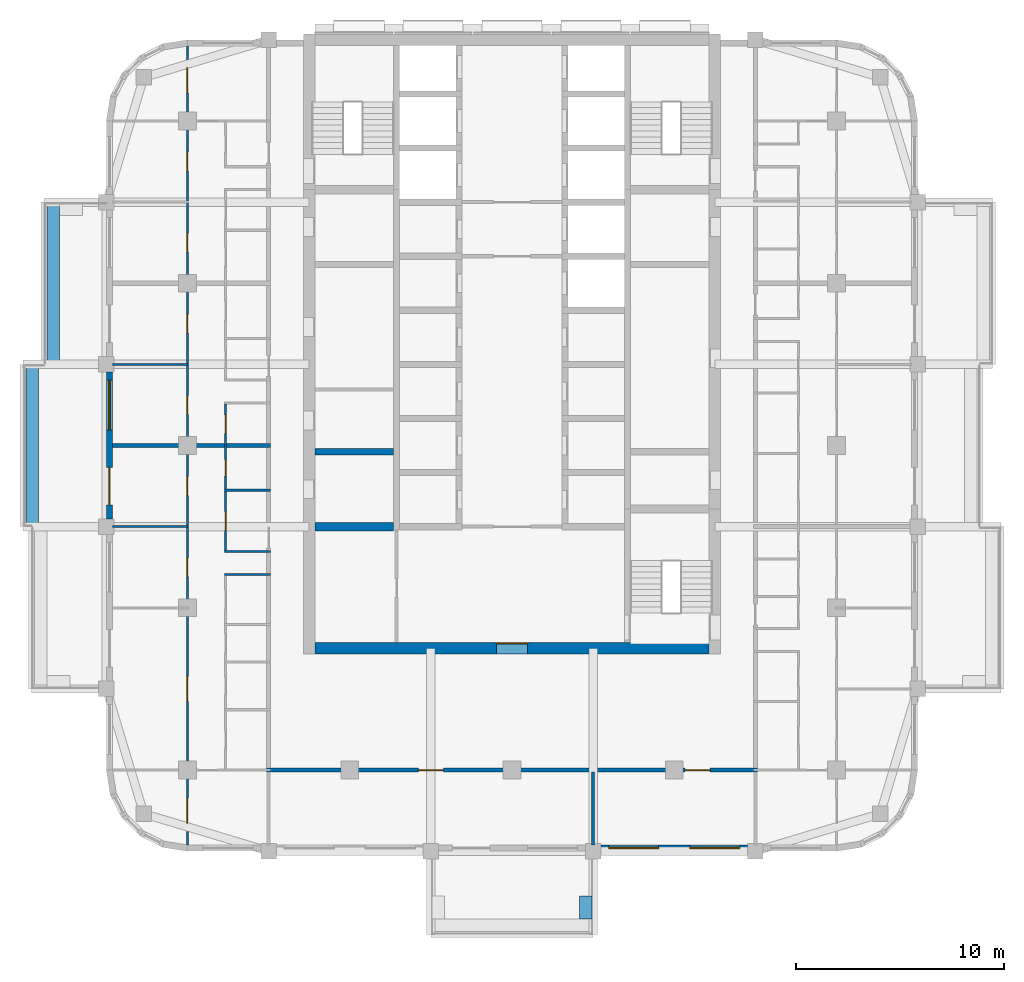
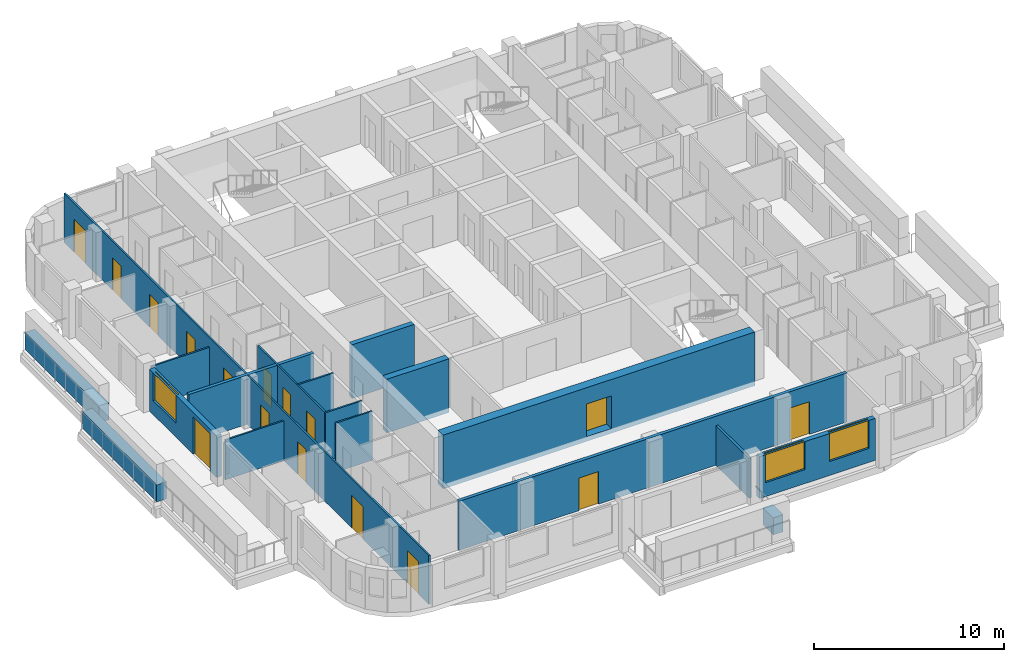
# One storey, part 3 of 13: 18 walls, 16 doors, 3 windows, 19 openings.
"""IFC4 building model written with IfcOpenShell, lengths in metres."""

from ifc_helpers import new_model, si_unit, direction, frame, frame_2d, origin, place, context, subcontext, project, spatial, rectangle, extrude, material, layer, layer_set, type_object, element, fill, save


model = new_model("IFC4")

# Units and contexts
model_context = context("Model", 3, precision=1e-05, world=origin(), true_north=direction((0.0, 1.0)))
body_context = subcontext(model_context, "Body", "Model", "MODEL_VIEW")
ifc_project = project(units=[si_unit("LENGTHUNIT", "METRE"), si_unit("AREAUNIT", "SQUARE_METRE"), si_unit("VOLUMEUNIT", "CUBIC_METRE"), si_unit("PLANEANGLEUNIT", "RADIAN"), si_unit("MASSUNIT", "GRAM", prefix="KILO")], contexts=[model_context])

# Site, building, storey
site_placement = place(None, origin())
site = spatial("IfcSite", under=ifc_project, at=site_placement, CompositionType="ELEMENT")
building_placement = place(site_placement, origin())
building = spatial("IfcBuilding", under=site, at=building_placement, Name="Ludao Terraces", CompositionType="ELEMENT")
storey_placement = place(building_placement, frame((0.0, 0.0, 179.199951171875)))
storey = spatial("IfcBuildingStorey", under=building, at=storey_placement, Name="L48", CompositionType="ELEMENT", Elevation=179.199951171875)

# Wall, opening, door
ifc_material_1 = material(Name="Concrete C60", Category="concrete")
ifc_layer_1 = layer(ifc_material_1, 0.550048828125)
ifc_layer_set_1 = layer_set([ifc_layer_1], Name="Core wall 550 C60")
wall_type_1 = type_object("IfcWallType", Name="Core wall 550 C60", PredefinedType="SOLIDWALL", material=ifc_layer_set_1)
wall_1_placement = place(storey_placement, frame((75.52490234375, 55.25, -0.300048828125), z_axis=(0.0, 0.0, 1.0), x_axis=(1.0, 0.0, 0.0)))
wall_1 = element("IfcWall", 1, at=wall_1_placement, inside=storey, type_object=wall_type_1, Name="Core wall L48 outer-S", PredefinedType="SOLIDWALL", context=body_context, shape_type="SweptSolid", body=[
    extrude(rectangle(XDim=18.9501953125, YDim=0.550048828125, at=frame_2d((9.47509765625, 0.0))), origin(), (0.0, 0.0, 1.0), 3.4501953125),
])
opening_1_placement = place(wall_1_placement, frame((8.72509765625, 0.0, 0.300048828125)))
opening_1 = element("IfcOpeningElement", 2, at=opening_1_placement, cuts=wall_1, Name="Opening R17-013", PredefinedType="OPENING", context=body_context, shape_type="SweptSolid", body=[
    extrude(rectangle(XDim=1.5, YDim=2.10009765625, at=frame_2d((0.75, 1.050048828125))), frame((0.0, 0.28515625, 0.0), z_axis=(0.0, -1.0, 0.0), x_axis=(1.0, 0.0, 0.0)), (0.0, 0.0, 1.0), 0.570068359375),
])
ifc_material_2 = material(Name="Steel Q235", Category="steel")
door_type_1 = type_object("IfcDoorType", Name="INT Lobby door 1500", OperationType="DOUBLE_DOOR_SINGLE_SWING", PredefinedType="DOOR", material=ifc_material_2)
door_1_placement = place(opening_1_placement, origin())
door_1 = element("IfcDoor", 3, at=door_1_placement, inside=storey, type_object=door_type_1, Name="DOOR 013", OperationType="DOUBLE_DOOR_SINGLE_SWING", OverallHeight=2.10009765625, OverallWidth=1.5, PredefinedType="DOOR", context=body_context, shape_type="SweptSolid", body=[
    extrude(rectangle(XDim=1.5, YDim=2.10009765625, at=frame_2d((0.75, 1.050048828125))), frame((0.0, 0.26025390625, 0.0), z_axis=(0.0, -1.0, 0.0), x_axis=(1.0, 0.0, 0.0)), (0.0, 0.0, 1.0), 0.050048828125),
])
fill(opening_1, door_1)

# Walls
ifc_material_3 = material(Name="Concrete C40", Category="concrete")
ifc_layer_2 = layer(ifc_material_3, 0.60009765625)
ifc_layer_set_2 = layer_set([ifc_layer_2], Name="ENV Planter trough 600")
wall_type_2 = type_object("IfcWallType", Name="ENV Planter trough 600", PredefinedType="USERDEFINED", material=ifc_layer_set_2)
wall_2_placement = place(storey_placement, frame((88.550048828125, 42.25, 0.0), z_axis=(0.0, 0.0, 1.0), x_axis=(0.0, 1.0, 0.0)))
element("IfcWall", 4, at=wall_2_placement, inside=storey, type_object=wall_type_2, Name="PL-L48-S1-SB", ObjectType="PLANTER", PredefinedType="USERDEFINED", context=body_context, shape_type="SweptSolid", body=[
    extrude(rectangle(XDim=1.10009765625, YDim=0.60009765625, at=frame_2d((0.550048828125, 0.0))), origin(), (0.0, 0.0, 1.0), 1.10009765625),
])
wall_3_placement = place(storey_placement, frame((61.949951171875, 61.10009765625, 0.0), z_axis=(0.0, 0.0, 1.0), x_axis=(0.0, 1.0, 0.0)))
element("IfcWall", 5, at=wall_3_placement, inside=storey, type_object=wall_type_2, Name="PL-L48-W2", ObjectType="PLANTER", PredefinedType="USERDEFINED", context=body_context, shape_type="SweptSolid", body=[
    extrude(rectangle(XDim=7.7998046875, YDim=0.60009765625, at=frame_2d((3.89990234375, 0.0))), origin(), (0.0, 0.0, 1.0), 1.10009765625),
])
wall_4_placement = place(storey_placement, frame((62.949951171875, 68.89990234375, 0.0), z_axis=(0.0, 0.0, 1.0), x_axis=(0.0, 1.0, 0.0)))
element("IfcWall", 6, at=wall_4_placement, inside=storey, type_object=wall_type_2, Name="PL-L48-W3", ObjectType="PLANTER", PredefinedType="USERDEFINED", context=body_context, shape_type="SweptSolid", body=[
    extrude(rectangle(XDim=7.800048828125, YDim=0.60009765625, at=frame_2d((3.89990234375, 0.0))), origin(), (0.0, 0.0, 1.0), 1.10009765625),
])

# Wall, openings, windows
ifc_material_4 = material(Name="Granite cladding", Category="masonry")
ifc_layer_3 = layer(ifc_material_4, 0.0400390625, Category="stone")
ifc_material_5 = material(Name="Mineral wool")
ifc_layer_4 = layer(ifc_material_5, 0.06005859375)
ifc_layer_5 = layer(ifc_material_3, 0.199951171875, Category="concrete")
ifc_layer_set_3 = layer_set([ifc_layer_3, ifc_layer_4, ifc_layer_5], Name="ENV Stone-clad wall 300")
wall_type_3 = type_object("IfcWallType", Name="ENV Stone-clad wall 300", PredefinedType="SOLIDWALL", material=ifc_layer_set_3)
wall_5_placement = place(storey_placement, frame((89.27490234375, 45.64990234375, 0.0), z_axis=(0.0, 0.0, 1.0), x_axis=(1.0, 0.0, 0.0)))
wall_5 = element("IfcWall", 7, at=wall_5_placement, inside=storey, type_object=wall_type_3, Name="EW-L48-S4", PredefinedType="SOLIDWALL", context=body_context, shape_type="SweptSolid", body=[
    extrude(rectangle(XDim=7.050048828125, YDim=0.300048828125, at=frame_2d((3.52490234375, 0.0))), origin(), (0.0, 0.0, 1.0), 2.699951171875),
])
opening_2_placement = place(wall_5_placement, frame((0.375, 0.0, 0.89990234375)))
opening_2 = element("IfcOpeningElement", 8, at=opening_2_placement, cuts=wall_5, Name="Opening W1", PredefinedType="OPENING", context=body_context, shape_type="SweptSolid", body=[
    extrude(rectangle(XDim=2.39990234375, YDim=1.800048828125, at=frame_2d((1.199951171875, 0.89990234375))), frame((0.0, 0.16015625, 0.0), z_axis=(0.0, -1.0, 0.0), x_axis=(1.0, 0.0, 0.0)), (0.0, 0.0, 1.0), 0.320068359375),
])
opening_3_placement = place(wall_5_placement, frame((4.27490234375, 0.0, 0.89990234375)))
opening_3 = element("IfcOpeningElement", 9, at=opening_3_placement, cuts=wall_5, Name="Opening W1", PredefinedType="OPENING", context=body_context, shape_type="SweptSolid", body=[
    extrude(rectangle(XDim=2.39990234375, YDim=1.800048828125, at=frame_2d((1.199951171875, 0.89990234375))), frame((0.0, 0.16015625, 0.0), z_axis=(0.0, -1.0, 0.0), x_axis=(1.0, 0.0, 0.0)), (0.0, 0.0, 1.0), 0.320068359375),
])
ifc_material_6 = material(Name="Clear glass in aluminium frame", Category="aluminium")
ifc_layer_6 = layer(ifc_material_6, 0.06005859375)
ifc_layer_set_4 = layer_set([ifc_layer_6], Name="ENV Window W1 2400x1800")
window_type = type_object("IfcWindowType", Name="ENV Window W1 2400x1800", PartitioningType="DOUBLE_PANEL_VERTICAL", PredefinedType="WINDOW", material=ifc_layer_set_4)
window_1_placement = place(opening_2_placement, origin())
window_1 = element("IfcWindow", 10, at=window_1_placement, inside=storey, type_object=window_type, Name="W-L48-S4-1", OverallHeight=1.800048828125, OverallWidth=2.39990234375, PartitioningType="DOUBLE_PANEL_VERTICAL", PredefinedType="WINDOW", context=body_context, shape_type="SweptSolid", body=[
    extrude(rectangle(XDim=2.39990234375, YDim=1.800048828125, at=frame_2d((1.199951171875, 0.89990234375))), frame((0.0, 0.030029296875, 0.0), z_axis=(0.0, -1.0, 0.0), x_axis=(1.0, 0.0, 0.0)), (0.0, 0.0, 1.0), 0.06005859375),
])
fill(opening_2, window_1)
window_2_placement = place(opening_3_placement, origin())
window_2 = element("IfcWindow", 11, at=window_2_placement, inside=storey, type_object=window_type, Name="W-L48-S4-2", OverallHeight=1.800048828125, OverallWidth=2.39990234375, PartitioningType="DOUBLE_PANEL_VERTICAL", PredefinedType="WINDOW", context=body_context, shape_type="SweptSolid", body=[
    extrude(rectangle(XDim=2.39990234375, YDim=1.800048828125, at=frame_2d((1.199951171875, 0.89990234375))), frame((0.0, 0.030029296875, 0.0), z_axis=(0.0, -1.0, 0.0), x_axis=(1.0, 0.0, 0.0)), (0.0, 0.0, 1.0), 0.06005859375),
])
fill(opening_3, window_2)

# Wall, openings, door, window
wall_6_placement = place(storey_placement, frame((65.64990234375, 61.47509765625, 0.0), z_axis=(0.0, 0.0, 1.0), x_axis=(0.0, 1.0, 0.0)))
wall_6 = element("IfcWall", 12, at=wall_6_placement, inside=storey, type_object=wall_type_3, Name="EW-L48-W3", PredefinedType="SOLIDWALL", context=body_context, shape_type="SweptSolid", body=[
    extrude(rectangle(XDim=7.0498046875, YDim=0.300048828125, at=frame_2d((3.52490234375, 0.0))), origin(), (0.0, 0.0, 1.0), 2.699951171875),
])
opening_4_placement = place(wall_6_placement, frame((0.675048828125, 0.0, 0.0)))
opening_4 = element("IfcOpeningElement", 13, at=opening_4_placement, cuts=wall_6, Name="Opening BD", PredefinedType="OPENING", context=body_context, shape_type="SweptSolid", body=[
    extrude(rectangle(XDim=1.800048828125, YDim=2.39990234375, at=frame_2d((0.89990234375, 1.199951171875))), frame((0.0, 0.16015625, 0.0), z_axis=(0.0, -1.0, 0.0), x_axis=(1.0, 0.0, 0.0)), (0.0, 0.0, 1.0), 0.320068359375),
])
opening_5_placement = place(wall_6_placement, frame((4.27490234375, 0.0, 0.89990234375)))
opening_5 = element("IfcOpeningElement", 14, at=opening_5_placement, cuts=wall_6, Name="Opening W1", PredefinedType="OPENING", context=body_context, shape_type="SweptSolid", body=[
    extrude(rectangle(XDim=2.39990234375, YDim=1.800048828125, at=frame_2d((1.199951171875, 0.89990234375))), frame((0.0, 0.16015625, 0.0), z_axis=(0.0, -1.0, 0.0), x_axis=(1.0, 0.0, 0.0)), (0.0, 0.0, 1.0), 0.320068359375),
])
ifc_material_7 = material(Name="Aluminium glazed door", Category="aluminium")
ifc_layer_7 = layer(ifc_material_7, 0.06005859375)
ifc_layer_set_5 = layer_set([ifc_layer_7], Name="ENV Balcony door BD 1800x2400")
door_type_2 = type_object("IfcDoorType", Name="ENV Balcony door BD 1800x2400", OperationType="DOUBLE_DOOR_SINGLE_SWING", PredefinedType="DOOR", material=ifc_layer_set_5)
door_2_placement = place(opening_4_placement, origin())
door_2 = element("IfcDoor", 15, at=door_2_placement, inside=storey, type_object=door_type_2, Name="BD-L48-W3-1", OperationType="DOUBLE_DOOR_SINGLE_SWING", OverallHeight=2.39990234375, OverallWidth=1.800048828125, PredefinedType="DOOR", context=body_context, shape_type="SweptSolid", body=[
    extrude(rectangle(XDim=1.800048828125, YDim=2.39990234375, at=frame_2d((0.89990234375, 1.199951171875))), frame((0.0, 0.02490234375, 0.0), z_axis=(0.0, -1.0, 0.0), x_axis=(1.0, 0.0, 0.0)), (0.0, 0.0, 1.0), 0.050048828125),
])
fill(opening_4, door_2)
window_3_placement = place(opening_5_placement, origin())
window_3 = element("IfcWindow", 16, at=window_3_placement, inside=storey, type_object=window_type, Name="W-L48-W3-2", OverallHeight=1.800048828125, OverallWidth=2.39990234375, PartitioningType="DOUBLE_PANEL_VERTICAL", PredefinedType="WINDOW", context=body_context, shape_type="SweptSolid", body=[
    extrude(rectangle(XDim=2.39990234375, YDim=1.800048828125, at=frame_2d((1.199951171875, 0.89990234375))), frame((0.0, 0.030029296875, 0.0), z_axis=(0.0, -1.0, 0.0), x_axis=(1.0, 0.0, 0.0)), (0.0, 0.0, 1.0), 0.06005859375),
])
fill(opening_5, window_3)

# Wall, openings, doors
ifc_material_8 = material(Name="Autoclaved aerated concrete block B06 A3.5", Category="concrete")
ifc_layer_8 = layer(ifc_material_8, 0.199951171875)
ifc_layer_set_6 = layer_set([ifc_layer_8], Name="INT Entrance wall 200")
wall_type_4 = type_object("IfcWallType", Name="INT Entrance wall 200", PredefinedType="PARTITIONING", material=ifc_layer_set_6)
wall_7_placement = place(storey_placement, frame((73.2001953125, 49.39990234375, 0.0), z_axis=(0.0, 0.0, 1.0), x_axis=(1.0, 0.0, 0.0)))
wall_7 = element("IfcWall", 17, at=wall_7_placement, inside=storey, type_object=wall_type_4, Name="PW-L48-PW001", PredefinedType="PARTITIONING", context=body_context, shape_type="SweptSolid", body=[
    extrude(rectangle(XDim=23.599853515625, YDim=0.199951171875, at=frame_2d((11.7998046875, 0.0))), origin(), (0.0, 0.0, 1.0), 3.150146484375),
])
opening_6_placement = place(wall_7_placement, frame((7.2998046875, 0.0, 0.0)))
opening_6 = element("IfcOpeningElement", 18, at=opening_6_placement, cuts=wall_7, Name="Opening R17-004", PredefinedType="OPENING", context=body_context, shape_type="SweptSolid", body=[
    extrude(rectangle(XDim=1.199951171875, YDim=2.10009765625, at=frame_2d((0.60009765625, 1.050048828125))), frame((0.0, 0.10986328125, 0.0), z_axis=(0.0, -1.0, 0.0), x_axis=(1.0, 0.0, 0.0)), (0.0, 0.0, 1.0), 0.219970703125),
])
opening_7_placement = place(wall_7_placement, frame((20.125, 0.0, 0.0)))
opening_7 = element("IfcOpeningElement", 19, at=opening_7_placement, cuts=wall_7, Name="Opening R17-005", PredefinedType="OPENING", context=body_context, shape_type="SweptSolid", body=[
    extrude(rectangle(XDim=1.199951171875, YDim=2.10009765625, at=frame_2d((0.60009765625, 1.050048828125))), frame((0.0, 0.10986328125, 0.0), z_axis=(0.0, -1.0, 0.0), x_axis=(1.0, 0.0, 0.0)), (0.0, 0.0, 1.0), 0.219970703125),
])
ifc_material_9 = material(Name="Timber door leaf", Category="wood")
door_type_3 = type_object("IfcDoorType", Name="INT Double door 1200", OperationType="DOUBLE_DOOR_SINGLE_SWING", PredefinedType="DOOR", material=ifc_material_9)
door_3_placement = place(opening_6_placement, origin())
door_3 = element("IfcDoor", 20, at=door_3_placement, inside=storey, type_object=door_type_3, Name="DOOR 004", OperationType="DOUBLE_DOOR_SINGLE_SWING", OverallHeight=2.10009765625, OverallWidth=1.199951171875, PredefinedType="DOOR", context=body_context, shape_type="SweptSolid", body=[
    extrude(rectangle(XDim=1.199951171875, YDim=2.10009765625, at=frame_2d((0.60009765625, 1.050048828125))), frame((0.0, 0.02490234375, 0.0), z_axis=(0.0, -1.0, 0.0), x_axis=(1.0, 0.0, 0.0)), (0.0, 0.0, 1.0), 0.050048828125),
])
fill(opening_6, door_3)
door_4_placement = place(opening_7_placement, origin())
door_4 = element("IfcDoor", 21, at=door_4_placement, inside=storey, type_object=door_type_3, Name="DOOR 005", OperationType="DOUBLE_DOOR_SINGLE_SWING", OverallHeight=2.10009765625, OverallWidth=1.199951171875, PredefinedType="DOOR", context=body_context, shape_type="SweptSolid", body=[
    extrude(rectangle(XDim=1.199951171875, YDim=2.10009765625, at=frame_2d((0.60009765625, 1.050048828125))), frame((0.0, 0.02490234375, 0.0), z_axis=(0.0, -1.0, 0.0), x_axis=(1.0, 0.0, 0.0)), (0.0, 0.0, 1.0), 0.050048828125),
])
fill(opening_7, door_4)

# Walls
ifc_material_10 = material(Name="Gypsum plasterboard", Category="gypsum")
ifc_layer_9 = layer(ifc_material_10, 0.012451171875, Category="gypsum")
ifc_layer_10 = layer(ifc_material_5, 0.06005859375, Name="insulation")
ifc_layer_11 = layer(ifc_material_2, 0.014892578125, Name="stud")
ifc_layer_12 = layer(ifc_material_10, 0.012451171875, Category="gypsum")
ifc_layer_set_7 = layer_set([ifc_layer_9, ifc_layer_10, ifc_layer_11, ifc_layer_12], Name="INT Partition 100")
wall_type_5 = type_object("IfcWallType", Name="INT Partition 100", PredefinedType="PARTITIONING", material=ifc_layer_set_7)
for number, where, z_axis, x_axis, name in (
    (22, (71.18017578125, 58.800048828125, 0.0), (0.0, 0.0, 1.0), (1.0, 0.0, 0.0), "PW-L48-PW013"),
    (23, (71.18017578125, 59.89990234375, 0.0), (0.0, 0.0, 1.0), (1.0, 0.0, 0.0), "PW-L48-PW015"),
):
    element("IfcWall", number, at=place(storey_placement, frame(where, z_axis=z_axis, x_axis=x_axis)), inside=storey, type_object=wall_type_5, Name=name, PredefinedType="PARTITIONING", context=body_context, shape_type="SweptSolid", body=[
        extrude(rectangle(XDim=2.219970703125, YDim=0.10009765625, at=frame_2d((1.10986328125, 0.0))), origin(), (0.0, 0.0, 1.0), 3.150146484375),
    ])
wall_8_placement = place(storey_placement, frame((65.800048828125, 61.10009765625, 0.0), z_axis=(0.0, 0.0, 1.0), x_axis=(1.0, 0.0, 0.0)))
element("IfcWall", 24, at=wall_8_placement, inside=storey, type_object=wall_type_5, Name="PW-L48-PW016", PredefinedType="PARTITIONING", context=body_context, shape_type="SweptSolid", body=[
    extrude(rectangle(XDim=3.650146484375, YDim=0.10009765625, at=frame_2d((1.8251953125, 0.0))), origin(), (0.0, 0.0, 1.0), 2.550048828125),
])
wall_9_placement = place(storey_placement, frame((71.18017578125, 62.85009765625, 0.0), z_axis=(0.0, 0.0, 1.0), x_axis=(1.0, 0.0, 0.0)))
element("IfcWall", 25, at=wall_9_placement, inside=storey, type_object=wall_type_5, Name="PW-L48-PW019", PredefinedType="PARTITIONING", context=body_context, shape_type="SweptSolid", body=[
    extrude(rectangle(XDim=2.219970703125, YDim=0.10009765625, at=frame_2d((1.10986328125, 0.0))), origin(), (0.0, 0.0, 1.0), 3.150146484375),
])
wall_10_placement = place(storey_placement, frame((65.800048828125, 68.89990234375, 0.0), z_axis=(0.0, 0.0, 1.0), x_axis=(1.0, 0.0, 0.0)))
element("IfcWall", 26, at=wall_10_placement, inside=storey, type_object=wall_type_5, Name="PW-L48-PW026", PredefinedType="PARTITIONING", context=body_context, shape_type="SweptSolid", body=[
    extrude(rectangle(XDim=3.650146484375, YDim=0.10009765625, at=frame_2d((1.8251953125, 0.0))), origin(), (0.0, 0.0, 1.0), 2.550048828125),
])

# Wall, openings, doors
wall_11_placement = place(storey_placement, frame((69.39990234375, 45.800048828125, 0.0), z_axis=(0.0, 0.0, 1.0), x_axis=(0.0, 1.0, 0.0)))
wall_11 = element("IfcWall", 27, at=wall_11_placement, inside=storey, type_object=wall_type_5, Name="PW-L48-PW046", PredefinedType="PARTITIONING", context=body_context, shape_type="SweptSolid", body=[
    extrude(rectangle(XDim=38.400146484375, YDim=0.10009765625, at=frame_2d((19.2001953125, 0.0))), origin(), (0.0, 0.0, 1.0), 3.150146484375),
])
opening_8_placement = place(wall_11_placement, frame((1.050048828125, 0.0, 0.0)))
opening_8 = element("IfcOpeningElement", 28, at=opening_8_placement, cuts=wall_11, Name="Opening R17-001", PredefinedType="OPENING", context=body_context, shape_type="SweptSolid", body=[
    extrude(rectangle(XDim=1.199951171875, YDim=2.10009765625, at=frame_2d((0.60009765625, 1.050048828125))), frame((0.0, 0.06005859375, 0.0), z_axis=(0.0, -1.0, 0.0), x_axis=(1.0, 0.0, 0.0)), (0.0, 0.0, 1.0), 0.1201171875),
])
opening_9_placement = place(wall_11_placement, frame((6.89990234375, 0.0, 0.0)))
opening_9 = element("IfcOpeningElement", 29, at=opening_9_placement, cuts=wall_11, Name="Opening R17-010", PredefinedType="OPENING", context=body_context, shape_type="SweptSolid", body=[
    extrude(rectangle(XDim=1.199951171875, YDim=2.10009765625, at=frame_2d((0.60009765625, 1.050048828125))), frame((0.0, 0.06005859375, 0.0), z_axis=(0.0, -1.0, 0.0), x_axis=(1.0, 0.0, 0.0)), (0.0, 0.0, 1.0), 0.1201171875),
])
opening_10_placement = place(wall_11_placement, frame((12.89990234375, 0.0, 0.0)))
opening_10 = element("IfcOpeningElement", 30, at=opening_10_placement, cuts=wall_11, Name="Opening R17-023", PredefinedType="OPENING", context=body_context, shape_type="SweptSolid", body=[
    extrude(rectangle(XDim=0.89990234375, YDim=2.10009765625, at=frame_2d((0.449951171875, 1.050048828125))), frame((0.0, 0.06005859375, 0.0), z_axis=(0.0, -1.0, 0.0), x_axis=(1.0, 0.0, 0.0)), (0.0, 0.0, 1.0), 0.1201171875),
])
opening_11_placement = place(wall_11_placement, frame((16.800048828125, 0.0, 0.0)))
opening_11 = element("IfcOpeningElement", 31, at=opening_11_placement, cuts=wall_11, Name="Opening R17-033", PredefinedType="OPENING", context=body_context, shape_type="SweptSolid", body=[
    extrude(rectangle(XDim=0.89990234375, YDim=2.10009765625, at=frame_2d((0.449951171875, 1.050048828125))), frame((0.0, 0.06005859375, 0.0), z_axis=(0.0, -1.0, 0.0), x_axis=(1.0, 0.0, 0.0)), (0.0, 0.0, 1.0), 0.1201171875),
])
opening_12_placement = place(wall_11_placement, frame((20.699951171875, 0.0, 0.0)))
opening_12 = element("IfcOpeningElement", 32, at=opening_12_placement, cuts=wall_11, Name="Opening R17-042", PredefinedType="OPENING", context=body_context, shape_type="SweptSolid", body=[
    extrude(rectangle(XDim=0.89990234375, YDim=2.10009765625, at=frame_2d((0.449951171875, 1.050048828125))), frame((0.0, 0.06005859375, 0.0), z_axis=(0.0, -1.0, 0.0), x_axis=(1.0, 0.0, 0.0)), (0.0, 0.0, 1.0), 0.1201171875),
])
opening_13_placement = place(wall_11_placement, frame((24.60009765625, 0.0, 0.0)))
opening_13 = element("IfcOpeningElement", 33, at=opening_13_placement, cuts=wall_11, Name="Opening R17-052", PredefinedType="OPENING", context=body_context, shape_type="SweptSolid", body=[
    extrude(rectangle(XDim=0.89990234375, YDim=2.10009765625, at=frame_2d((0.449951171875, 1.050048828125))), frame((0.0, 0.06005859375, 0.0), z_axis=(0.0, -1.0, 0.0), x_axis=(1.0, 0.0, 0.0)), (0.0, 0.0, 1.0), 0.1201171875),
])
opening_14_placement = place(wall_11_placement, frame((28.5, 0.0, 0.0)))
opening_14 = element("IfcOpeningElement", 34, at=opening_14_placement, cuts=wall_11, Name="Opening R17-062", PredefinedType="OPENING", context=body_context, shape_type="SweptSolid", body=[
    extrude(rectangle(XDim=0.89990234375, YDim=2.10009765625, at=frame_2d((0.449951171875, 1.050048828125))), frame((0.0, 0.06005859375, 0.0), z_axis=(0.0, -1.0, 0.0), x_axis=(1.0, 0.0, 0.0)), (0.0, 0.0, 1.0), 0.1201171875),
])
opening_15_placement = place(wall_11_placement, frame((32.39990234375, 0.0, 0.0)))
opening_15 = element("IfcOpeningElement", 35, at=opening_15_placement, cuts=wall_11, Name="Opening R17-077", PredefinedType="OPENING", context=body_context, shape_type="SweptSolid", body=[
    extrude(rectangle(XDim=0.89990234375, YDim=2.10009765625, at=frame_2d((0.449951171875, 1.050048828125))), frame((0.0, 0.06005859375, 0.0), z_axis=(0.0, -1.0, 0.0), x_axis=(1.0, 0.0, 0.0)), (0.0, 0.0, 1.0), 0.1201171875),
])
opening_16_placement = place(wall_11_placement, frame((36.14990234375, 0.0, 0.0)))
opening_16 = element("IfcOpeningElement", 36, at=opening_16_placement, cuts=wall_11, Name="Opening R17-086", PredefinedType="OPENING", context=body_context, shape_type="SweptSolid", body=[
    extrude(rectangle(XDim=1.199951171875, YDim=2.10009765625, at=frame_2d((0.60009765625, 1.050048828125))), frame((0.0, 0.06005859375, 0.0), z_axis=(0.0, -1.0, 0.0), x_axis=(1.0, 0.0, 0.0)), (0.0, 0.0, 1.0), 0.1201171875),
])
door_5_placement = place(opening_8_placement, origin())
door_5 = element("IfcDoor", 37, at=door_5_placement, inside=storey, type_object=door_type_3, Name="DOOR 001", OperationType="DOUBLE_DOOR_SINGLE_SWING", OverallHeight=2.10009765625, OverallWidth=1.199951171875, PredefinedType="DOOR", context=body_context, shape_type="SweptSolid", body=[
    extrude(rectangle(XDim=1.199951171875, YDim=2.10009765625, at=frame_2d((0.60009765625, 1.050048828125))), frame((0.0, 0.02490234375, 0.0), z_axis=(0.0, -1.0, 0.0), x_axis=(1.0, 0.0, 0.0)), (0.0, 0.0, 1.0), 0.050048828125),
])
fill(opening_8, door_5)
door_6_placement = place(opening_9_placement, origin())
door_6 = element("IfcDoor", 38, at=door_6_placement, inside=storey, type_object=door_type_3, Name="DOOR 010", OperationType="DOUBLE_DOOR_SINGLE_SWING", OverallHeight=2.10009765625, OverallWidth=1.199951171875, PredefinedType="DOOR", context=body_context, shape_type="SweptSolid", body=[
    extrude(rectangle(XDim=1.199951171875, YDim=2.10009765625, at=frame_2d((0.60009765625, 1.050048828125))), frame((0.0, 0.02490234375, 0.0), z_axis=(0.0, -1.0, 0.0), x_axis=(1.0, 0.0, 0.0)), (0.0, 0.0, 1.0), 0.050048828125),
])
fill(opening_9, door_6)
door_7_placement = place(opening_16_placement, origin())
door_7 = element("IfcDoor", 39, at=door_7_placement, inside=storey, type_object=door_type_3, Name="DOOR 086", OperationType="DOUBLE_DOOR_SINGLE_SWING", OverallHeight=2.10009765625, OverallWidth=1.199951171875, PredefinedType="DOOR", context=body_context, shape_type="SweptSolid", body=[
    extrude(rectangle(XDim=1.199951171875, YDim=2.10009765625, at=frame_2d((0.60009765625, 1.050048828125))), frame((0.0, 0.02490234375, 0.0), z_axis=(0.0, -1.0, 0.0), x_axis=(1.0, 0.0, 0.0)), (0.0, 0.0, 1.0), 0.050048828125),
])
fill(opening_16, door_7)
door_type_4 = type_object("IfcDoorType", Name="INT Room door 900", OperationType="SINGLE_SWING_LEFT", PredefinedType="DOOR", material=ifc_material_9)
door_8_placement = place(opening_10_placement, origin())
door_8 = element("IfcDoor", 40, at=door_8_placement, inside=storey, type_object=door_type_4, Name="DOOR 023", OperationType="SINGLE_SWING_RIGHT", OverallHeight=2.10009765625, OverallWidth=0.89990234375, PredefinedType="DOOR", context=body_context, shape_type="SweptSolid", body=[
    extrude(rectangle(XDim=0.89990234375, YDim=2.10009765625, at=frame_2d((0.449951171875, 1.050048828125))), frame((0.0, 0.02490234375, 0.0), z_axis=(0.0, -1.0, 0.0), x_axis=(1.0, 0.0, 0.0)), (0.0, 0.0, 1.0), 0.050048828125),
])
fill(opening_10, door_8)
door_9_placement = place(opening_11_placement, origin())
door_9 = element("IfcDoor", 41, at=door_9_placement, inside=storey, type_object=door_type_4, Name="DOOR 033", OperationType="SINGLE_SWING_LEFT", OverallHeight=2.10009765625, OverallWidth=0.89990234375, PredefinedType="DOOR", context=body_context, shape_type="SweptSolid", body=[
    extrude(rectangle(XDim=0.89990234375, YDim=2.10009765625, at=frame_2d((0.449951171875, 1.050048828125))), frame((0.0, 0.02490234375, 0.0), z_axis=(0.0, -1.0, 0.0), x_axis=(1.0, 0.0, 0.0)), (0.0, 0.0, 1.0), 0.050048828125),
])
fill(opening_11, door_9)
door_10_placement = place(opening_12_placement, origin())
door_10 = element("IfcDoor", 42, at=door_10_placement, inside=storey, type_object=door_type_4, Name="DOOR 042", OperationType="SINGLE_SWING_RIGHT", OverallHeight=2.10009765625, OverallWidth=0.89990234375, PredefinedType="DOOR", context=body_context, shape_type="SweptSolid", body=[
    extrude(rectangle(XDim=0.89990234375, YDim=2.10009765625, at=frame_2d((0.449951171875, 1.050048828125))), frame((0.0, 0.02490234375, 0.0), z_axis=(0.0, -1.0, 0.0), x_axis=(1.0, 0.0, 0.0)), (0.0, 0.0, 1.0), 0.050048828125),
])
fill(opening_12, door_10)
door_11_placement = place(opening_13_placement, origin())
door_11 = element("IfcDoor", 43, at=door_11_placement, inside=storey, type_object=door_type_4, Name="DOOR 052", OperationType="SINGLE_SWING_RIGHT", OverallHeight=2.10009765625, OverallWidth=0.89990234375, PredefinedType="DOOR", context=body_context, shape_type="SweptSolid", body=[
    extrude(rectangle(XDim=0.89990234375, YDim=2.10009765625, at=frame_2d((0.449951171875, 1.050048828125))), frame((0.0, 0.02490234375, 0.0), z_axis=(0.0, -1.0, 0.0), x_axis=(1.0, 0.0, 0.0)), (0.0, 0.0, 1.0), 0.050048828125),
])
fill(opening_13, door_11)
door_12_placement = place(opening_14_placement, origin())
door_12 = element("IfcDoor", 44, at=door_12_placement, inside=storey, type_object=door_type_4, Name="DOOR 062", OperationType="SINGLE_SWING_LEFT", OverallHeight=2.10009765625, OverallWidth=0.89990234375, PredefinedType="DOOR", context=body_context, shape_type="SweptSolid", body=[
    extrude(rectangle(XDim=0.89990234375, YDim=2.10009765625, at=frame_2d((0.449951171875, 1.050048828125))), frame((0.0, 0.02490234375, 0.0), z_axis=(0.0, -1.0, 0.0), x_axis=(1.0, 0.0, 0.0)), (0.0, 0.0, 1.0), 0.050048828125),
])
fill(opening_14, door_12)
door_13_placement = place(opening_15_placement, origin())
door_13 = element("IfcDoor", 45, at=door_13_placement, inside=storey, type_object=door_type_4, Name="DOOR 077", OperationType="SINGLE_SWING_LEFT", OverallHeight=2.10009765625, OverallWidth=0.89990234375, PredefinedType="DOOR", context=body_context, shape_type="SweptSolid", body=[
    extrude(rectangle(XDim=0.89990234375, YDim=2.10009765625, at=frame_2d((0.449951171875, 1.050048828125))), frame((0.0, 0.02490234375, 0.0), z_axis=(0.0, -1.0, 0.0), x_axis=(1.0, 0.0, 0.0)), (0.0, 0.0, 1.0), 0.050048828125),
])
fill(opening_15, door_13)

wall_12_placement = place(storey_placement, frame((71.22998046875, 59.9501953125, 0.0), z_axis=(0.0, 0.0, 1.0), x_axis=(0.0, 1.0, 0.0)))
wall_12 = element("IfcWall", 46, at=wall_12_placement, inside=storey, type_object=wall_type_5, Name="PW-L48-PW048", PredefinedType="PARTITIONING", context=body_context, shape_type="SweptSolid", body=[
    extrude(rectangle(XDim=7.0498046875, YDim=0.10009765625, at=frame_2d((3.52490234375, 0.0))), origin(), (0.0, 0.0, 1.0), 3.150146484375),
])
opening_17_placement = place(wall_12_placement, frame((0.974853515625, 0.0, 0.0)))
opening_17 = element("IfcOpeningElement", 47, at=opening_17_placement, cuts=wall_12, Name="Opening R17-028", PredefinedType="OPENING", context=body_context, shape_type="SweptSolid", body=[
    extrude(rectangle(XDim=0.89990234375, YDim=2.10009765625, at=frame_2d((0.449951171875, 1.050048828125))), frame((0.0, 0.06005859375, 0.0), z_axis=(0.0, -1.0, 0.0), x_axis=(1.0, 0.0, 0.0)), (0.0, 0.0, 1.0), 0.1201171875),
])
opening_18_placement = place(wall_12_placement, frame((3.574951171875, 0.0, 0.0)))
opening_18 = element("IfcOpeningElement", 48, at=opening_18_placement, cuts=wall_12, Name="Opening R17-035", PredefinedType="OPENING", context=body_context, shape_type="SweptSolid", body=[
    extrude(rectangle(XDim=0.800048828125, YDim=2.10009765625, at=frame_2d((0.39990234375, 1.050048828125))), frame((0.0, 0.06005859375, 0.0), z_axis=(0.0, -1.0, 0.0), x_axis=(1.0, 0.0, 0.0)), (0.0, 0.0, 1.0), 0.1201171875),
])
opening_19_placement = place(wall_12_placement, frame((5.625, 0.0, 0.0)))
opening_19 = element("IfcOpeningElement", 49, at=opening_19_placement, cuts=wall_12, Name="Opening R17-038", PredefinedType="OPENING", context=body_context, shape_type="SweptSolid", body=[
    extrude(rectangle(XDim=0.89990234375, YDim=2.10009765625, at=frame_2d((0.449951171875, 1.050048828125))), frame((0.0, 0.06005859375, 0.0), z_axis=(0.0, -1.0, 0.0), x_axis=(1.0, 0.0, 0.0)), (0.0, 0.0, 1.0), 0.1201171875),
])
door_type_5 = type_object("IfcDoorType", Name="INT Bathroom door 900", OperationType="SINGLE_SWING_LEFT", PredefinedType="DOOR", material=ifc_material_9)
door_14_placement = place(opening_19_placement, origin())
door_14 = element("IfcDoor", 50, at=door_14_placement, inside=storey, type_object=door_type_5, Name="DOOR 038", OperationType="SINGLE_SWING_RIGHT", OverallHeight=2.10009765625, OverallWidth=0.89990234375, PredefinedType="DOOR", context=body_context, shape_type="SweptSolid", body=[
    extrude(rectangle(XDim=0.89990234375, YDim=2.10009765625, at=frame_2d((0.449951171875, 1.050048828125))), frame((0.0, 0.02490234375, 0.0), z_axis=(0.0, -1.0, 0.0), x_axis=(1.0, 0.0, 0.0)), (0.0, 0.0, 1.0), 0.050048828125),
])
fill(opening_19, door_14)
door_15_placement = place(opening_17_placement, origin())
door_15 = element("IfcDoor", 51, at=door_15_placement, inside=storey, type_object=door_type_4, Name="DOOR 028", OperationType="SINGLE_SWING_RIGHT", OverallHeight=2.10009765625, OverallWidth=0.89990234375, PredefinedType="DOOR", context=body_context, shape_type="SweptSolid", body=[
    extrude(rectangle(XDim=0.89990234375, YDim=2.10009765625, at=frame_2d((0.449951171875, 1.050048828125))), frame((0.0, 0.02490234375, 0.0), z_axis=(0.0, -1.0, 0.0), x_axis=(1.0, 0.0, 0.0)), (0.0, 0.0, 1.0), 0.050048828125),
])
fill(opening_17, door_15)
door_type_6 = type_object("IfcDoorType", Name="INT Store door 800", OperationType="SINGLE_SWING_LEFT", PredefinedType="DOOR", material=ifc_material_9)
door_16_placement = place(opening_18_placement, origin())
door_16 = element("IfcDoor", 52, at=door_16_placement, inside=storey, type_object=door_type_6, Name="DOOR 035", OperationType="SINGLE_SWING_LEFT", OverallHeight=2.10009765625, OverallWidth=0.800048828125, PredefinedType="DOOR", context=body_context, shape_type="SweptSolid", body=[
    extrude(rectangle(XDim=0.800048828125, YDim=2.10009765625, at=frame_2d((0.39990234375, 1.050048828125))), frame((0.0, 0.02490234375, 0.0), z_axis=(0.0, -1.0, 0.0), x_axis=(1.0, 0.0, 0.0)), (0.0, 0.0, 1.0), 0.050048828125),
])
fill(opening_18, door_16)

# Walls
ifc_layer_13 = layer(ifc_material_8, 0.14990234375)
ifc_layer_set_8 = layer_set([ifc_layer_13], Name="INT Party wall 150")
wall_type_6 = type_object("IfcWallType", Name="INT Party wall 150", PredefinedType="PARTITIONING", material=ifc_layer_set_8)
wall_13_placement = place(storey_placement, frame((88.89990234375, 45.800048828125, 0.0), z_axis=(0.0, 0.0, 1.0), x_axis=(0.0, 1.0, 0.0)))
element("IfcWall", 53, at=wall_13_placement, inside=storey, type_object=wall_type_6, Name="PW-L48-PW054", PredefinedType="PARTITIONING", context=body_context, shape_type="SweptSolid", body=[
    extrude(rectangle(XDim=3.5, YDim=0.14990234375, at=frame_2d((1.75, 0.0))), origin(), (0.0, 0.0, 1.0), 2.550048828125),
])
ifc_layer_14 = layer(ifc_material_8, 0.199951171875)
ifc_layer_set_9 = layer_set([ifc_layer_14], Name="INT Party wall 200")
wall_type_7 = type_object("IfcWallType", Name="INT Party wall 200", PredefinedType="PARTITIONING", material=ifc_layer_set_9)
wall_14_placement = place(storey_placement, frame((65.800048828125, 65.0, 0.0), z_axis=(0.0, 0.0, 1.0), x_axis=(1.0, 0.0, 0.0)))
element("IfcWall", 54, at=wall_14_placement, inside=storey, type_object=wall_type_7, Name="PW-L48-PW021", PredefinedType="PARTITIONING", context=body_context, shape_type="SweptSolid", body=[
    extrude(rectangle(XDim=7.60009765625, YDim=0.199951171875, at=frame_2d((3.800048828125, 0.0))), origin(), (0.0, 0.0, 1.0), 3.150146484375),
])
ifc_material_11 = material(Name="Concrete C55", Category="concrete")
ifc_layer_15 = layer(ifc_material_11, 0.300048828125)
ifc_layer_set_10 = layer_set([ifc_layer_15], Name="Shaft wall 300 C55")
wall_type_8 = type_object("IfcWallType", Name="Shaft wall 300 C55", PredefinedType="SOLIDWALL", material=ifc_layer_set_10)
wall_15_placement = place(storey_placement, frame((75.52490234375, 64.699951171875, -0.300048828125), z_axis=(0.0, 0.0, 1.0), x_axis=(1.0, 0.0, 0.0)))
element("IfcWall", 55, at=wall_15_placement, inside=storey, type_object=wall_type_8, Name="Core wall L48 riser-a-W", PredefinedType="SOLIDWALL", context=body_context, shape_type="SweptSolid", body=[
    extrude(rectangle(XDim=3.775146484375, YDim=0.300048828125, at=frame_2d((1.8876953125, 0.0))), origin(), (0.0, 0.0, 1.0), 3.4501953125),
])
ifc_layer_16 = layer(ifc_material_11, 0.39990234375)
ifc_layer_set_11 = layer_set([ifc_layer_16], Name="Shaft wall 400 C55")
wall_type_9 = type_object("IfcWallType", Name="Shaft wall 400 C55", PredefinedType="SOLIDWALL", material=ifc_layer_set_11)
wall_16_placement = place(storey_placement, frame((75.52490234375, 61.10009765625, -0.300048828125), z_axis=(0.0, 0.0, 1.0), x_axis=(1.0, 0.0, 0.0)))
element("IfcWall", 56, at=wall_16_placement, inside=storey, type_object=wall_type_9, Name="Core wall L48 hall-W", PredefinedType="SOLIDWALL", context=body_context, shape_type="SweptSolid", body=[
    extrude(rectangle(XDim=3.775146484375, YDim=0.39990234375, at=frame_2d((1.8876953125, 0.0))), origin(), (0.0, 0.0, 1.0), 3.4501953125),
])

save(model, "model.ifc")
